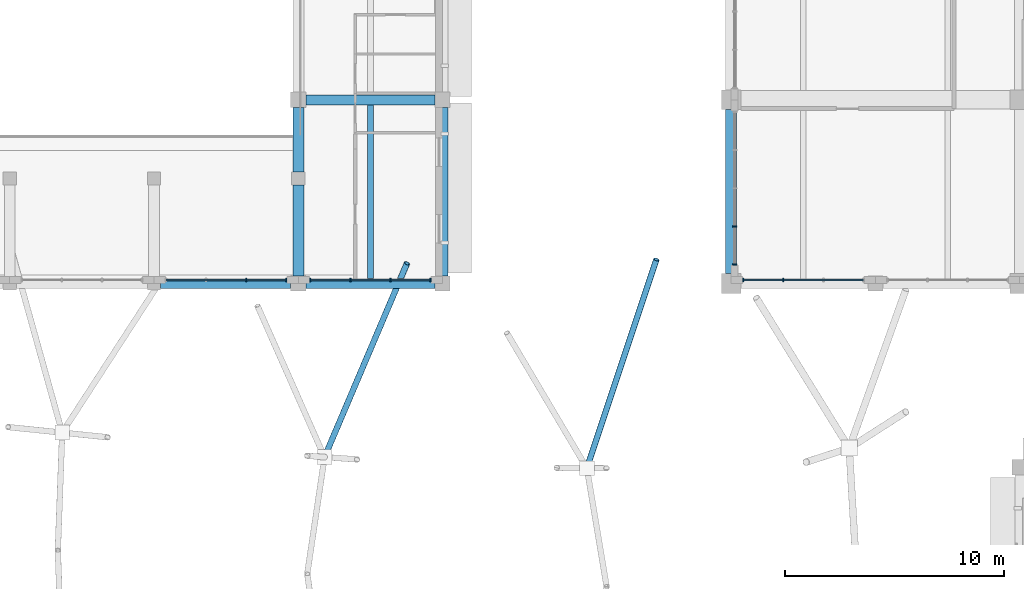
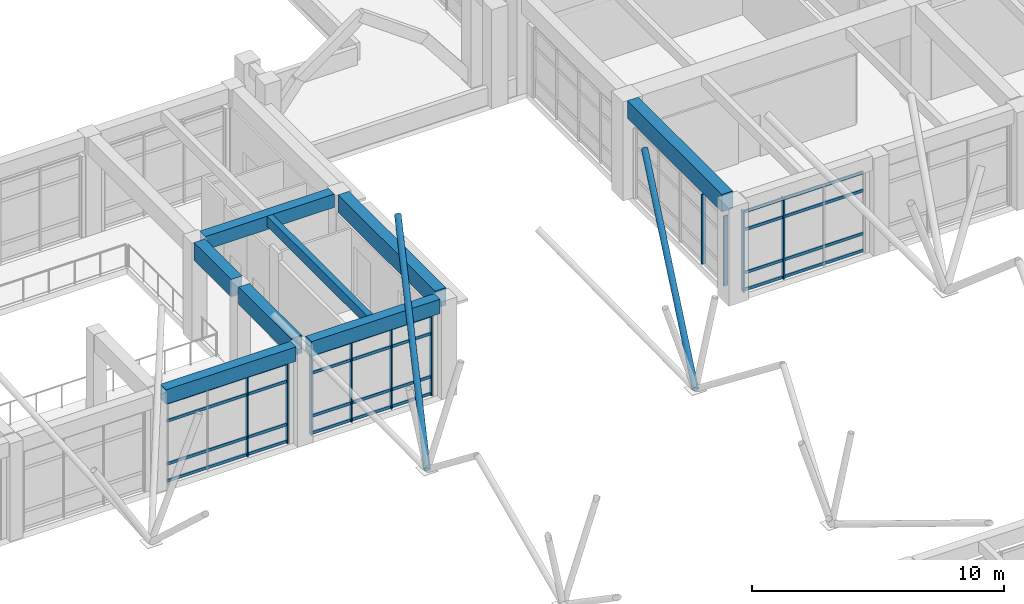
# One storey, part 21 of 75: 24 members, 8 beams, 4 elements without a shape of their own.
"""IFC4 building model written with IfcOpenShell, lengths in metres."""

from ifc_helpers import new_model, si_unit, direction, frame, origin, origin_2d, place, context, subcontext, project, spatial, rectangle, hollow_circle, extrude, material, layer, layer_set, material_profile, profile_set, type_object, element, aggregate, save


model = new_model("IFC4")

# Units and contexts
model_context = context("Model", 3, precision=1e-05, world=origin(), true_north=direction((0.0, 1.0)))
body_context = subcontext(model_context, "Body", "Model", "MODEL_VIEW")
ifc_project = project(units=[si_unit("LENGTHUNIT", "METRE"), si_unit("AREAUNIT", "SQUARE_METRE"), si_unit("VOLUMEUNIT", "CUBIC_METRE"), si_unit("PLANEANGLEUNIT", "RADIAN"), si_unit("MASSUNIT", "GRAM", prefix="KILO")], contexts=[model_context])

# Site, building, storey
site_placement = place(None, origin())
site = spatial("IfcSite", under=ifc_project, at=site_placement, CompositionType="ELEMENT")
building_placement = place(site_placement, origin())
building = spatial("IfcBuilding", under=site, at=building_placement, Name="Kolvaren Faculty of Natural Sciences", CompositionType="ELEMENT")
storey_placement = place(building_placement, frame((0.0, 0.0, 5.39990234375)))
storey = spatial("IfcBuildingStorey", under=building, at=storey_placement, Name="L01", CompositionType="ELEMENT", Elevation=5.39990234375)

# Curtain wall, members
ifc_material_1 = material(Name="Thermally broken anodised aluminium framing", Category="aluminium")
ifc_layer_1 = layer(ifc_material_1, 0.179931640625)
ifc_layer_set_1 = layer_set([ifc_layer_1], Name="Thermally broken anodised aluminium framing")
curtain_wall_type_1 = type_object("IfcCurtainWallType", Name="CommonsCurtainWall_CW02", PredefinedType="NOTDEFINED", material=ifc_layer_set_1)
curtain_wall_1_placement = place(storey_placement, origin())
curtain_wall_1 = element("IfcCurtainWall", 1, at=curtain_wall_1_placement, inside=storey, type_object=curtain_wall_type_1, Name="L01 unitised curtain wall CW-02 (CW-L01-032)", PredefinedType="NOTDEFINED")
ifc_material_profile_1 = material_profile(ifc_material_1, rectangle(XDim=0.06005859375, YDim=0.179931640625, at=origin_2d()), Name="ALU MUL 60x180")
ifc_profile_set_1 = profile_set([ifc_material_profile_1], Name="Thermally broken anodised aluminium framing")
member_type_1 = type_object("IfcMemberType", Name="CurtainMullion_60x180", PredefinedType="MULLION", material=ifc_profile_set_1)
member_1_placement = place(storey_placement, frame((121.38330078125, 67.56005859375, 0.0), z_axis=(0.0, 0.0, 1.0), x_axis=(-1.0, 0.0, 0.0)))
member_1 = element("IfcMember", 2, at=member_1_placement, type_object=member_type_1, Name="CW-L01-032 vertical mullion 3", PredefinedType="MULLION", context=body_context, shape_type="SweptSolid", body=[
    extrude(rectangle(XDim=0.06005859375, YDim=0.179931640625, at=origin_2d()), origin(), (0.0, 0.0, 1.0), 3.93505859375),
])
member_2_placement = place(storey_placement, frame((119.550048828125, 67.56005859375, 0.0), z_axis=(0.0, 0.0, 1.0), x_axis=(-1.0, 0.0, 0.0)))
member_2 = element("IfcMember", 3, at=member_2_placement, type_object=member_type_1, Name="CW-L01-032 vertical mullion 4", PredefinedType="MULLION", context=body_context, shape_type="SweptSolid", body=[
    extrude(rectangle(XDim=0.06005859375, YDim=0.179931640625, at=origin_2d()), origin(), (0.0, 0.0, 1.0), 3.93505859375),
])

curtain_wall_2_placement = place(storey_placement, origin())
curtain_wall_2 = element("IfcCurtainWall", 4, at=curtain_wall_2_placement, inside=storey, type_object=curtain_wall_type_1, Name="L01 unitised curtain wall CW-02 (CW-L01-033)", PredefinedType="NOTDEFINED")
member_3_placement = place(storey_placement, frame((119.159912109375, 68.27001953125, 0.0), z_axis=(0.0, 0.0, 1.0), x_axis=(0.0, 1.0, 0.0)))
member_3 = element("IfcMember", 5, at=member_3_placement, type_object=member_type_1, Name="CW-L01-033 vertical mullion 1", PredefinedType="MULLION", context=body_context, shape_type="SweptSolid", body=[
    extrude(rectangle(XDim=0.06005859375, YDim=0.179931640625, at=origin_2d()), origin(), (0.0, 0.0, 1.0), 3.385009765625),
])
member_4_placement = place(storey_placement, frame((119.159912109375, 70.014892578125, 0.0), z_axis=(0.0, 0.0, 1.0), x_axis=(0.0, 1.0, 0.0)))
member_4 = element("IfcMember", 6, at=member_4_placement, type_object=member_type_1, Name="CW-L01-033 vertical mullion 2", PredefinedType="MULLION", context=body_context, shape_type="SweptSolid", body=[
    extrude(rectangle(XDim=0.06005859375, YDim=0.179931640625, at=origin_2d()), origin(), (0.0, 0.0, 1.0), 3.385009765625),
])
aggregate(curtain_wall_2, [member_3, member_4])

ifc_layer_2 = layer(ifc_material_1, 0.179931640625)
ifc_layer_set_2 = layer_set([ifc_layer_2], Name="Thermally broken anodised aluminium framing")
curtain_wall_type_2 = type_object("IfcCurtainWallType", Name="AtriumCurtainWall_CW01", PredefinedType="NOTDEFINED", material=ifc_layer_set_2)
curtain_wall_3_placement = place(storey_placement, origin())
curtain_wall_3 = element("IfcCurtainWall", 7, at=curtain_wall_3_placement, inside=storey, type_object=curtain_wall_type_2, Name="L01 unitised curtain wall CW-01 (CW-L01-062)", PredefinedType="NOTDEFINED")
member_5_placement = place(storey_placement, frame((105.25, 67.56005859375, 0.0), z_axis=(0.0, 0.0, 1.0), x_axis=(-1.0, 0.0, 0.0)))
member_5 = element("IfcMember", 8, at=member_5_placement, type_object=member_type_1, Name="CW-L01-062 vertical mullion 1", PredefinedType="MULLION", context=body_context, shape_type="SweptSolid", body=[
    extrude(rectangle(XDim=0.06005859375, YDim=0.179931640625, at=origin_2d()), origin(), (0.0, 0.0, 1.0), 3.93505859375),
])
member_6_placement = place(storey_placement, frame((103.416748046875, 67.56005859375, 0.0), z_axis=(0.0, 0.0, 1.0), x_axis=(-1.0, 0.0, 0.0)))
member_6 = element("IfcMember", 9, at=member_6_placement, type_object=member_type_1, Name="CW-L01-062 vertical mullion 2", PredefinedType="MULLION", context=body_context, shape_type="SweptSolid", body=[
    extrude(rectangle(XDim=0.06005859375, YDim=0.179931640625, at=origin_2d()), origin(), (0.0, 0.0, 1.0), 3.93505859375),
])
member_7_placement = place(storey_placement, frame((101.583251953125, 67.56005859375, 0.0), z_axis=(0.0, 0.0, 1.0), x_axis=(-1.0, 0.0, 0.0)))
member_7 = element("IfcMember", 10, at=member_7_placement, type_object=member_type_1, Name="CW-L01-062 vertical mullion 3", PredefinedType="MULLION", context=body_context, shape_type="SweptSolid", body=[
    extrude(rectangle(XDim=0.06005859375, YDim=0.179931640625, at=origin_2d()), origin(), (0.0, 0.0, 1.0), 3.93505859375),
])
member_8_placement = place(storey_placement, frame((99.75, 67.56005859375, 0.0), z_axis=(0.0, 0.0, 1.0), x_axis=(-1.0, 0.0, 0.0)))
member_8 = element("IfcMember", 11, at=member_8_placement, type_object=member_type_1, Name="CW-L01-062 vertical mullion 4", PredefinedType="MULLION", context=body_context, shape_type="SweptSolid", body=[
    extrude(rectangle(XDim=0.06005859375, YDim=0.179931640625, at=origin_2d()), origin(), (0.0, 0.0, 1.0), 3.93505859375),
])

curtain_wall_4_placement = place(storey_placement, origin())
curtain_wall_4 = element("IfcCurtainWall", 12, at=curtain_wall_4_placement, inside=storey, type_object=curtain_wall_type_2, Name="L01 unitised curtain wall CW-01 (CW-L01-063)", PredefinedType="NOTDEFINED")
member_9_placement = place(storey_placement, frame((98.64990234375, 67.56005859375, 0.0), z_axis=(0.0, 0.0, 1.0), x_axis=(-1.0, 0.0, 0.0)))
member_9 = element("IfcMember", 13, at=member_9_placement, type_object=member_type_1, Name="CW-L01-063 vertical mullion 1", PredefinedType="MULLION", context=body_context, shape_type="SweptSolid", body=[
    extrude(rectangle(XDim=0.06005859375, YDim=0.179931640625, at=origin_2d()), origin(), (0.0, 0.0, 1.0), 3.93505859375),
])
member_10_placement = place(storey_placement, frame((96.816650390625, 67.56005859375, 0.0), z_axis=(0.0, 0.0, 1.0), x_axis=(-1.0, 0.0, 0.0)))
member_10 = element("IfcMember", 14, at=member_10_placement, type_object=member_type_1, Name="CW-L01-063 vertical mullion 2", PredefinedType="MULLION", context=body_context, shape_type="SweptSolid", body=[
    extrude(rectangle(XDim=0.06005859375, YDim=0.179931640625, at=origin_2d()), origin(), (0.0, 0.0, 1.0), 3.93505859375),
])

# Member
ifc_material_profile_2 = material_profile(ifc_material_1, rectangle(XDim=0.06005859375, YDim=0.139892578125, at=origin_2d()), Name="ALU TRN 60x140")
ifc_profile_set_2 = profile_set([ifc_material_profile_2], Name="Thermally broken anodised aluminium framing")
member_type_2 = type_object("IfcMemberType", Name="CurtainTransom_60x140", PredefinedType="USERDEFINED", material=ifc_profile_set_2)
member_11_placement = place(storey_placement, frame((125.050048828125, 67.56005859375, 0.080078125), z_axis=(-1.0, 0.0, 0.0), x_axis=(0.0, -1.0, 0.0)))
member_11 = element("IfcMember", 15, at=member_11_placement, type_object=member_type_2, Name="CW-L01-032 horizontal transom 1", ObjectType="TRANSOM", PredefinedType="USERDEFINED", context=body_context, shape_type="SweptSolid", body=[
    extrude(rectangle(XDim=0.06005859375, YDim=0.139892578125, at=origin_2d()), origin(), (0.0, 0.0, 1.0), 5.5),
])

member_12_placement = place(storey_placement, frame((125.050048828125, 67.56005859375, 0.900146484375), z_axis=(-1.0, 0.0, 0.0), x_axis=(0.0, -1.0, 0.0)))
member_12 = element("IfcMember", 16, at=member_12_placement, type_object=member_type_2, Name="CW-L01-032 horizontal transom 2", ObjectType="TRANSOM", PredefinedType="USERDEFINED", context=body_context, shape_type="SweptSolid", body=[
    extrude(rectangle(XDim=0.06005859375, YDim=0.139892578125, at=origin_2d()), origin(), (0.0, 0.0, 1.0), 5.5),
])

member_13_placement = place(storey_placement, frame((125.050048828125, 67.56005859375, 2.985107421875), z_axis=(-1.0, 0.0, 0.0), x_axis=(0.0, -1.0, 0.0)))
member_13 = element("IfcMember", 17, at=member_13_placement, type_object=member_type_2, Name="CW-L01-032 horizontal transom 3", ObjectType="TRANSOM", PredefinedType="USERDEFINED", context=body_context, shape_type="SweptSolid", body=[
    extrude(rectangle(XDim=0.06005859375, YDim=0.139892578125, at=origin_2d()), origin(), (0.0, 0.0, 1.0), 5.5),
])

member_14_placement = place(storey_placement, frame((125.050048828125, 67.56005859375, 3.85498046875), z_axis=(-1.0, 0.0, 0.0), x_axis=(0.0, -1.0, 0.0)))
member_14 = element("IfcMember", 18, at=member_14_placement, type_object=member_type_2, Name="CW-L01-032 horizontal transom 4", ObjectType="TRANSOM", PredefinedType="USERDEFINED", context=body_context, shape_type="SweptSolid", body=[
    extrude(rectangle(XDim=0.06005859375, YDim=0.139892578125, at=origin_2d()), origin(), (0.0, 0.0, 1.0), 5.5),
])

aggregate(curtain_wall_1, [member_1, member_2, member_11, member_12, member_13, member_14])

member_15_placement = place(storey_placement, frame((105.25, 67.56005859375, 0.080078125), z_axis=(-1.0, 0.0, 0.0), x_axis=(0.0, -1.0, 0.0)))
member_15 = element("IfcMember", 19, at=member_15_placement, type_object=member_type_2, Name="CW-L01-062 horizontal transom 1", ObjectType="TRANSOM", PredefinedType="USERDEFINED", context=body_context, shape_type="SweptSolid", body=[
    extrude(rectangle(XDim=0.06005859375, YDim=0.139892578125, at=origin_2d()), origin(), (0.0, 0.0, 1.0), 5.5),
])

member_16_placement = place(storey_placement, frame((105.25, 67.56005859375, 0.900146484375), z_axis=(-1.0, 0.0, 0.0), x_axis=(0.0, -1.0, 0.0)))
member_16 = element("IfcMember", 20, at=member_16_placement, type_object=member_type_2, Name="CW-L01-062 horizontal transom 2", ObjectType="TRANSOM", PredefinedType="USERDEFINED", context=body_context, shape_type="SweptSolid", body=[
    extrude(rectangle(XDim=0.06005859375, YDim=0.139892578125, at=origin_2d()), origin(), (0.0, 0.0, 1.0), 5.5),
])

member_17_placement = place(storey_placement, frame((105.25, 67.56005859375, 2.985107421875), z_axis=(-1.0, 0.0, 0.0), x_axis=(0.0, -1.0, 0.0)))
member_17 = element("IfcMember", 21, at=member_17_placement, type_object=member_type_2, Name="CW-L01-062 horizontal transom 3", ObjectType="TRANSOM", PredefinedType="USERDEFINED", context=body_context, shape_type="SweptSolid", body=[
    extrude(rectangle(XDim=0.06005859375, YDim=0.139892578125, at=origin_2d()), origin(), (0.0, 0.0, 1.0), 5.5),
])

member_18_placement = place(storey_placement, frame((105.25, 67.56005859375, 3.85498046875), z_axis=(-1.0, 0.0, 0.0), x_axis=(0.0, -1.0, 0.0)))
member_18 = element("IfcMember", 22, at=member_18_placement, type_object=member_type_2, Name="CW-L01-062 horizontal transom 4", ObjectType="TRANSOM", PredefinedType="USERDEFINED", context=body_context, shape_type="SweptSolid", body=[
    extrude(rectangle(XDim=0.06005859375, YDim=0.139892578125, at=origin_2d()), origin(), (0.0, 0.0, 1.0), 5.5),
])

aggregate(curtain_wall_3, [member_5, member_6, member_7, member_8, member_15, member_16, member_17, member_18])

member_19_placement = place(storey_placement, frame((98.64990234375, 67.56005859375, 0.080078125), z_axis=(-1.0, 0.0, 0.0), x_axis=(0.0, -1.0, 0.0)))
member_19 = element("IfcMember", 23, at=member_19_placement, type_object=member_type_2, Name="CW-L01-063 horizontal transom 1", ObjectType="TRANSOM", PredefinedType="USERDEFINED", context=body_context, shape_type="SweptSolid", body=[
    extrude(rectangle(XDim=0.06005859375, YDim=0.139892578125, at=origin_2d()), origin(), (0.0, 0.0, 1.0), 5.5),
])

member_20_placement = place(storey_placement, frame((98.64990234375, 67.56005859375, 0.900146484375), z_axis=(-1.0, 0.0, 0.0), x_axis=(0.0, -1.0, 0.0)))
member_20 = element("IfcMember", 24, at=member_20_placement, type_object=member_type_2, Name="CW-L01-063 horizontal transom 2", ObjectType="TRANSOM", PredefinedType="USERDEFINED", context=body_context, shape_type="SweptSolid", body=[
    extrude(rectangle(XDim=0.06005859375, YDim=0.139892578125, at=origin_2d()), origin(), (0.0, 0.0, 1.0), 5.5),
])

member_21_placement = place(storey_placement, frame((98.64990234375, 67.56005859375, 2.985107421875), z_axis=(-1.0, 0.0, 0.0), x_axis=(0.0, -1.0, 0.0)))
member_21 = element("IfcMember", 25, at=member_21_placement, type_object=member_type_2, Name="CW-L01-063 horizontal transom 3", ObjectType="TRANSOM", PredefinedType="USERDEFINED", context=body_context, shape_type="SweptSolid", body=[
    extrude(rectangle(XDim=0.06005859375, YDim=0.139892578125, at=origin_2d()), origin(), (0.0, 0.0, 1.0), 5.5),
])

member_22_placement = place(storey_placement, frame((98.64990234375, 67.56005859375, 3.85498046875), z_axis=(-1.0, 0.0, 0.0), x_axis=(0.0, -1.0, 0.0)))
member_22 = element("IfcMember", 26, at=member_22_placement, type_object=member_type_2, Name="CW-L01-063 horizontal transom 4", ObjectType="TRANSOM", PredefinedType="USERDEFINED", context=body_context, shape_type="SweptSolid", body=[
    extrude(rectangle(XDim=0.06005859375, YDim=0.139892578125, at=origin_2d()), origin(), (0.0, 0.0, 1.0), 5.5),
])

aggregate(curtain_wall_4, [member_9, member_10, member_19, member_20, member_21, member_22])

# Beams
ifc_material_2 = material(Name="Concrete C35/45", Category="concrete")
ifc_material_profile_3 = material_profile(ifc_material_2, rectangle(XDim=0.449951171875, YDim=0.64990234375, at=origin_2d()), Name="RC BM 450x650")
ifc_profile_set_3 = profile_set([ifc_material_profile_3], Name="Concrete C35/45")
beam_type_1 = type_object("IfcBeamType", Name="GridBeam_450x650", PredefinedType="BEAM", material=ifc_profile_set_3)
beam_1_placement = place(storey_placement, frame((99.550048828125, 75.800048828125, 4.47509765625), z_axis=(1.0, 0.0, 0.0), x_axis=(0.0, 1.0, 0.0)))
element("IfcBeam", 27, at=beam_1_placement, inside=storey, type_object=beam_type_1, Name="L01 beam BM-65 on grid K", PredefinedType="BEAM", context=body_context, shape_type="SweptSolid", body=[
    extrude(rectangle(XDim=0.449951171875, YDim=0.64990234375, at=origin_2d()), origin(), (0.0, 0.0, 1.0), 5.89990234375),
])
ifc_material_profile_4 = material_profile(ifc_material_2, rectangle(XDim=0.260009765625, YDim=0.5, at=origin_2d()), Name="RC JST 260x500")
ifc_profile_set_4 = profile_set([ifc_material_profile_4], Name="Concrete C35/45")
beam_type_2 = type_object("IfcBeamType", Name="LabRibJoist_260x500", PredefinedType="JOIST", material=ifc_profile_set_4)
beam_2_placement = place(storey_placement, frame((102.5, 67.625, 4.550048828125), z_axis=(0.0, 1.0, 0.0), x_axis=(-1.0, 0.0, 0.0)))
element("IfcBeam", 28, at=beam_2_placement, inside=storey, type_object=beam_type_2, Name="L01 ribbed laboratory slab joist JS-50", PredefinedType="JOIST", context=body_context, shape_type="SweptSolid", body=[
    extrude(rectangle(XDim=0.260009765625, YDim=0.5, at=origin_2d()), origin(), (0.0, 0.0, 1.0), 7.949951171875),
])
ifc_material_profile_5 = material_profile(ifc_material_2, rectangle(XDim=0.449951171875, YDim=0.699951171875, at=origin_2d()), Name="RC SP 450x700")
ifc_profile_set_5 = profile_set([ifc_material_profile_5], Name="Concrete C35/45")
beam_type_3 = type_object("IfcBeamType", Name="PerimeterSpandrel_450x700", PredefinedType="SPANDREL", material=ifc_profile_set_5)
beam_3_placement = place(storey_placement, frame((92.89990234375, 67.39990234375, 4.4501953125), z_axis=(1.0, 0.0, 0.0), x_axis=(0.0, 1.0, 0.0)))
element("IfcBeam", 29, at=beam_3_placement, inside=storey, type_object=beam_type_3, Name="L01 spandrel SP-70 on grid J", PredefinedType="SPANDREL", context=body_context, shape_type="SweptSolid", body=[
    extrude(rectangle(XDim=0.449951171875, YDim=0.699951171875, at=origin_2d()), origin(), (0.0, 0.0, 1.0), 5.9501953125),
])
beam_4_placement = place(storey_placement, frame((99.550048828125, 67.39990234375, 4.4501953125), z_axis=(1.0, 0.0, 0.0), x_axis=(0.0, 1.0, 0.0)))
element("IfcBeam", 30, at=beam_4_placement, inside=storey, type_object=beam_type_3, Name="L01 spandrel SP-70 on grid J", PredefinedType="SPANDREL", context=body_context, shape_type="SweptSolid", body=[
    extrude(rectangle(XDim=0.449951171875, YDim=0.699951171875, at=origin_2d()), origin(), (0.0, 0.0, 1.0), 5.89990234375),
])
ifc_material_profile_6 = material_profile(ifc_material_2, rectangle(XDim=0.5, YDim=0.85009765625, at=origin_2d()), Name="RC BM 500x850")
ifc_profile_set_6 = profile_set([ifc_material_profile_6], Name="Concrete C35/45")
beam_type_4 = type_object("IfcBeamType", Name="PrimaryGirder_500x850", PredefinedType="BEAM", material=ifc_profile_set_6)
beam_5_placement = place(storey_placement, frame((99.199951171875, 67.75, 4.375), z_axis=(0.0, 1.0, 0.0), x_axis=(-1.0, 0.0, 0.0)))
element("IfcBeam", 31, at=beam_5_placement, inside=storey, type_object=beam_type_4, Name="L01 girder BG-85 on grid 16", PredefinedType="BEAM", context=body_context, shape_type="SweptSolid", body=[
    extrude(rectangle(XDim=0.5, YDim=0.85009765625, at=origin_2d()), origin(), (0.0, 0.0, 1.0), 4.14990234375),
])
beam_6_placement = place(storey_placement, frame((99.199951171875, 72.5, 4.375), z_axis=(0.0, 1.0, 0.0), x_axis=(-1.0, 0.0, 0.0)))
element("IfcBeam", 32, at=beam_6_placement, inside=storey, type_object=beam_type_4, Name="L01 girder BG-85 on grid 16", PredefinedType="BEAM", context=body_context, shape_type="SweptSolid", body=[
    extrude(rectangle(XDim=0.5, YDim=0.85009765625, at=origin_2d()), origin(), (0.0, 0.0, 1.0), 2.949951171875),
])
beam_7_placement = place(storey_placement, frame((105.800048828125, 67.75, 4.375), z_axis=(0.0, 1.0, 0.0), x_axis=(-1.0, 0.0, 0.0)))
element("IfcBeam", 33, at=beam_7_placement, inside=storey, type_object=beam_type_4, Name="L01 girder BG-85 on grid 17", PredefinedType="BEAM", context=body_context, shape_type="SweptSolid", body=[
    extrude(rectangle(XDim=0.5, YDim=0.85009765625, at=origin_2d()), origin(), (0.0, 0.0, 1.0), 7.699951171875),
])
beam_8_placement = place(storey_placement, frame((119.0, 67.85009765625, 4.375), z_axis=(0.0, 1.0, 0.0), x_axis=(-1.0, 0.0, 0.0)))
element("IfcBeam", 34, at=beam_8_placement, inside=storey, type_object=beam_type_4, Name="L01 girder BG-85 on grid 19", PredefinedType="BEAM", context=body_context, shape_type="SweptSolid", body=[
    extrude(rectangle(XDim=0.5, YDim=0.85009765625, at=origin_2d()), origin(), (0.0, 0.0, 1.0), 7.5),
])

# Members
ifc_material_3 = material(Name="Structural steel EN 10210-1 S355J2H (white architectural finish)", Category="steel")
ifc_material_profile_7 = material_profile(ifc_material_3, hollow_circle(Radius=0.136474609375, WallThickness=0.012451171875, at=origin_2d()), Name="CHS 273x12.5")
ifc_profile_set_7 = profile_set([ifc_material_profile_7], Name="Structural steel EN 10210-1 S355J2H (white architectural finish)")
member_type_3 = type_object("IfcMemberType", Name="TreeBranchPrimary_CHS273", PredefinedType="STRUT", material=ifc_profile_set_7)
member_23_placement = place(storey_placement, frame((100.39990234375, 59.458984375, 3.0), z_axis=(0.337882617416, 0.793749742927, 0.505763464923), x_axis=(-0.920105860274, 0.391669766371, 0.0)))
element("IfcMember", 35, at=member_23_placement, inside=storey, type_object=member_type_3, Name="Covered street canopy tree TREE-10 inclined branch 5", PredefinedType="STRUT", context=body_context, shape_type="SweptSolid", body=[
    extrude(hollow_circle(Radius=0.136474609375, WallThickness=0.012451171875, at=origin_2d()), origin(), (0.0, 0.0, 1.0), 11.165771484375),
])
member_24_placement = place(storey_placement, frame((112.39990234375, 58.95263671875, 3.0), z_axis=(0.286163311785, 0.858358194399, 0.425830681252), x_axis=(-0.948668736862, 0.316271446231, 0.0)))
element("IfcMember", 36, at=member_24_placement, inside=storey, type_object=member_type_3, Name="Covered street canopy tree TREE-12 inclined branch 5", PredefinedType="STRUT", context=body_context, shape_type="SweptSolid", body=[
    extrude(hollow_circle(Radius=0.136474609375, WallThickness=0.012451171875, at=origin_2d()), origin(), (0.0, 0.0, 1.0), 11.119140625),
])

save(model, "model.ifc")
